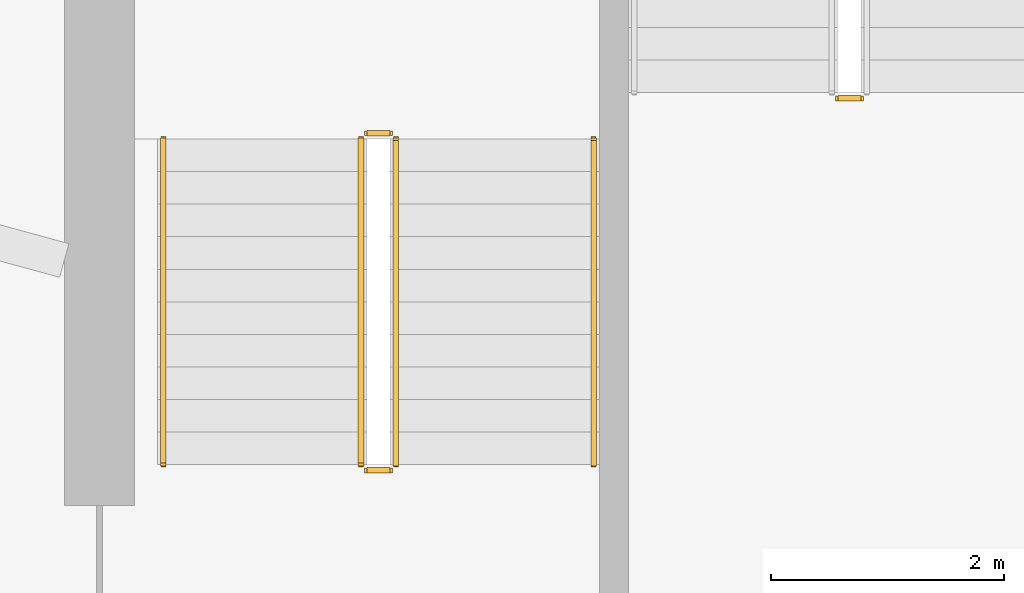
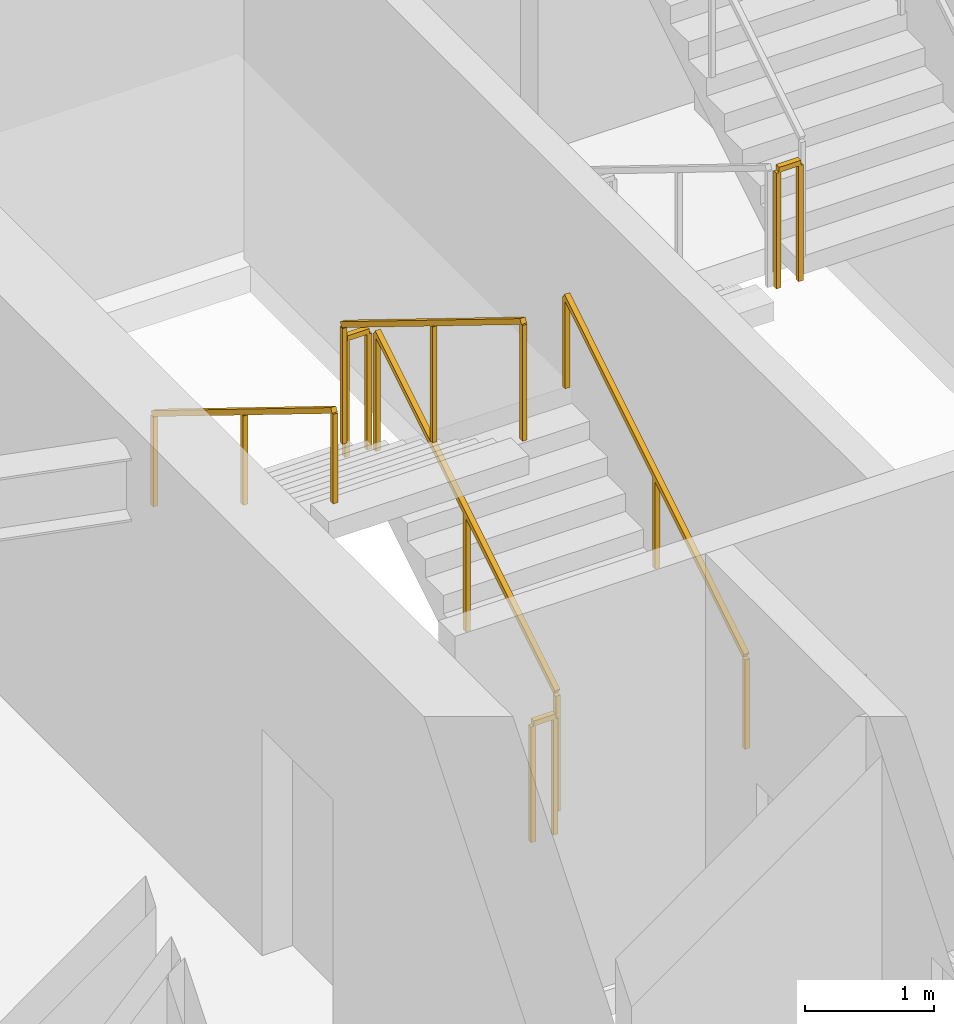
# One storey, part 23 of 25: 7 railings.
"""IFC4 building model written with IfcOpenShell, lengths in metres."""

from ifc_helpers import new_model, si_unit, direction, frame, origin, origin_2d, place, context, subcontext, project, spatial, rectangle, extrude, material, type_object, element, save


model = new_model("IFC4")

# Units and contexts
model_context = context("Model", 3, precision=1e-05, world=origin(), true_north=direction((0.0, 1.0)))
body_context = subcontext(model_context, "Body", "Model", "MODEL_VIEW")
ifc_project = project(units=[si_unit("LENGTHUNIT", "METRE"), si_unit("AREAUNIT", "SQUARE_METRE"), si_unit("VOLUMEUNIT", "CUBIC_METRE"), si_unit("PLANEANGLEUNIT", "RADIAN"), si_unit("MASSUNIT", "GRAM", prefix="KILO")], contexts=[model_context])

# Site, building, storey
site_placement = place(None, origin())
site = spatial("IfcSite", under=ifc_project, at=site_placement, CompositionType="ELEMENT")
building_placement = place(site_placement, origin())
building = spatial("IfcBuilding", under=site, at=building_placement, Name="Zuhravey Tower", CompositionType="ELEMENT")
storey_placement = place(building_placement, frame((0.0, 0.0, 257.800048828125)))
storey = spatial("IfcBuildingStorey", under=building, at=storey_placement, Name="L65", CompositionType="ELEMENT", Elevation=257.800048828125)

# Railings
ifc_material_1 = material(Name="Brushed stainless steel", Category="steel")
railing_type_1 = type_object("IfcRailingType", Name="Stair Wall Handrail 900", PredefinedType="HANDRAIL", material=ifc_material_1)
railing_1_placement = place(storey_placement, frame((29.75, 33.199951171875, 0.172607421875)))
element("IfcRailing", 1, at=railing_1_placement, inside=storey, type_object=railing_type_1, Name="L65 ST1 stair handrail 1", PredefinedType="HANDRAIL", context=body_context, shape_type="SweptSolid", body=[
    extrude(rectangle(XDim=0.048095703125, YDim=0.048095703125, at=origin_2d()), frame((0.0, 0.001708984375, 0.876953125), z_axis=(0.0, 0.851089632645, 0.525020415988), x_axis=(-1.0, 0.0, 0.0)), (0.0, 0.0, 1.0), 3.285888671875),
    extrude(rectangle(XDim=0.0419921875, YDim=0.0419921875, at=origin_2d()), origin(), (0.0, 0.0, 1.0), 0.849853515625),
    extrude(rectangle(XDim=0.0419921875, YDim=0.0419921875, at=origin_2d()), frame((0.0, 1.39990234375, 0.86376953125)), (0.0, 0.0, 1.0), 0.849853515625),
    extrude(rectangle(XDim=0.0419921875, YDim=0.0419921875, at=origin_2d()), frame((0.0, 2.800048828125, 1.727294921875)), (0.0, 0.0, 1.0), 0.849853515625),
])
railing_2_placement = place(storey_placement, frame((26.050048828125, 36.0, 2.07275390625)))
element("IfcRailing", 2, at=railing_2_placement, inside=storey, type_object=railing_type_1, Name="L65 ST1 stair handrail 2", PredefinedType="HANDRAIL", context=body_context, shape_type="SweptSolid", body=[
    extrude(rectangle(XDim=0.048095703125, YDim=0.048095703125, at=origin_2d()), frame((0.0, -0.001708984375, 0.876953125), z_axis=(0.0, -0.851089632645, 0.525020415988), x_axis=(1.0, 0.0, 0.0)), (0.0, 0.0, 1.0), 3.285888671875),
    extrude(rectangle(XDim=0.0419921875, YDim=0.0419921875, at=origin_2d()), origin(), (0.0, 0.0, 1.0), 0.849853515625),
    extrude(rectangle(XDim=0.0419921875, YDim=0.0419921875, at=origin_2d()), frame((0.0, -1.39990234375, 0.86376953125)), (0.0, 0.0, 1.0), 0.849853515625),
    extrude(rectangle(XDim=0.0419921875, YDim=0.0419921875, at=origin_2d()), frame((0.0, -2.800048828125, 1.727294921875)), (0.0, 0.0, 1.0), 0.849853515625),
])
ifc_material_2 = material(Name="Painted tubular steel", Category="steel")
railing_type_2 = type_object("IfcRailingType", Name="Stair Well Guardrail 1150", PredefinedType="GUARDRAIL", material=ifc_material_2)
railing_3_placement = place(storey_placement, frame((28.050048828125, 33.199951171875, 0.172607421875)))
element("IfcRailing", 3, at=railing_3_placement, inside=storey, type_object=railing_type_2, Name="L65 ST1 stair guard 1", PredefinedType="GUARDRAIL", context=body_context, shape_type="SweptSolid", body=[
    extrude(rectangle(XDim=0.048095703125, YDim=0.048095703125, at=origin_2d()), frame((0.0, 0.001708984375, 1.126953125), z_axis=(0.0, 0.851089632645, 0.525020415988), x_axis=(-1.0, 0.0, 0.0)), (0.0, 0.0, 1.0), 3.285888671875),
    extrude(rectangle(XDim=0.0419921875, YDim=0.0419921875, at=origin_2d()), origin(), (0.0, 0.0, 1.0), 1.099853515625),
    extrude(rectangle(XDim=0.0419921875, YDim=0.0419921875, at=origin_2d()), frame((0.0, 1.39990234375, 0.86376953125)), (0.0, 0.0, 1.0), 1.099853515625),
    extrude(rectangle(XDim=0.0419921875, YDim=0.0419921875, at=origin_2d()), frame((0.0, 2.800048828125, 1.727294921875)), (0.0, 0.0, 1.0), 1.099853515625),
])
railing_4_placement = place(storey_placement, frame((28.0, 36.050048828125, 1.89990234375)))
element("IfcRailing", 4, at=railing_4_placement, inside=storey, type_object=railing_type_2, Name="L65 ST1 stair guard 2", PredefinedType="GUARDRAIL", context=body_context, shape_type="SweptSolid", body=[
    extrude(rectangle(XDim=0.048095703125, YDim=0.048095703125, at=origin_2d()), frame((-0.001953125, 0.0, 1.1259765625), z_axis=(-1.0, 0.0, 0.0), x_axis=(0.0, -1.0, 0.0)), (0.0, 0.0, 1.0), 0.196044921875),
    extrude(rectangle(XDim=0.0419921875, YDim=0.0419921875, at=origin_2d()), origin(), (0.0, 0.0, 1.0), 1.099853515625),
    extrude(rectangle(XDim=0.0419921875, YDim=0.0419921875, at=origin_2d()), frame((-0.199951171875, 0.0, 0.0)), (0.0, 0.0, 1.0), 1.099853515625),
])
railing_5_placement = place(storey_placement, frame((27.75, 36.0, 2.07275390625)))
element("IfcRailing", 5, at=railing_5_placement, inside=storey, type_object=railing_type_2, Name="L65 ST1 stair guard 3", PredefinedType="GUARDRAIL", context=body_context, shape_type="SweptSolid", body=[
    extrude(rectangle(XDim=0.048095703125, YDim=0.048095703125, at=origin_2d()), frame((0.0, -0.001708984375, 1.126953125), z_axis=(0.0, -0.851089632645, 0.525020415988), x_axis=(1.0, 0.0, 0.0)), (0.0, 0.0, 1.0), 3.285888671875),
    extrude(rectangle(XDim=0.0419921875, YDim=0.0419921875, at=origin_2d()), origin(), (0.0, 0.0, 1.0), 1.099853515625),
    extrude(rectangle(XDim=0.0419921875, YDim=0.0419921875, at=origin_2d()), frame((0.0, -1.39990234375, 0.86376953125)), (0.0, 0.0, 1.0), 1.099853515625),
    extrude(rectangle(XDim=0.0419921875, YDim=0.0419921875, at=origin_2d()), frame((0.0, -2.800048828125, 1.727294921875)), (0.0, 0.0, 1.0), 1.099853515625),
])
railing_6_placement = place(storey_placement, frame((28.0, 33.14990234375, 0.0)))
element("IfcRailing", 6, at=railing_6_placement, inside=storey, type_object=railing_type_2, Name="L65 ST1 stair guard 4", PredefinedType="GUARDRAIL", context=body_context, shape_type="SweptSolid", body=[
    extrude(rectangle(XDim=0.048095703125, YDim=0.048095703125, at=origin_2d()), frame((-0.001953125, 0.0, 1.1259765625), z_axis=(-1.0, 0.0, 0.0), x_axis=(0.0, -1.0, 0.0)), (0.0, 0.0, 1.0), 0.196044921875),
    extrude(rectangle(XDim=0.0419921875, YDim=0.0419921875, at=origin_2d()), origin(), (0.0, 0.0, 1.0), 1.099853515625),
    extrude(rectangle(XDim=0.0419921875, YDim=0.0419921875, at=origin_2d()), frame((-0.199951171875, 0.0, 0.0)), (0.0, 0.0, 1.0), 1.099853515625),
])
railing_7_placement = place(storey_placement, frame((31.85009765625, 36.35009765625, 1.89990234375)))
element("IfcRailing", 7, at=railing_7_placement, inside=storey, type_object=railing_type_2, Name="L65 ST3 stair guard 2", PredefinedType="GUARDRAIL", context=body_context, shape_type="SweptSolid", body=[
    extrude(rectangle(XDim=0.048095703125, YDim=0.048095703125, at=origin_2d()), frame((0.001953125, 0.0, 1.1259765625), z_axis=(1.0, 0.0, 0.0), x_axis=(0.0, 1.0, 0.0)), (0.0, 0.0, 1.0), 0.196044921875),
    extrude(rectangle(XDim=0.0419921875, YDim=0.0419921875, at=origin_2d()), origin(), (0.0, 0.0, 1.0), 1.099853515625),
    extrude(rectangle(XDim=0.0419921875, YDim=0.0419921875, at=origin_2d()), frame((0.199951171875, 0.0, 0.0)), (0.0, 0.0, 1.0), 1.099853515625),
])

save(model, "model.ifc")
